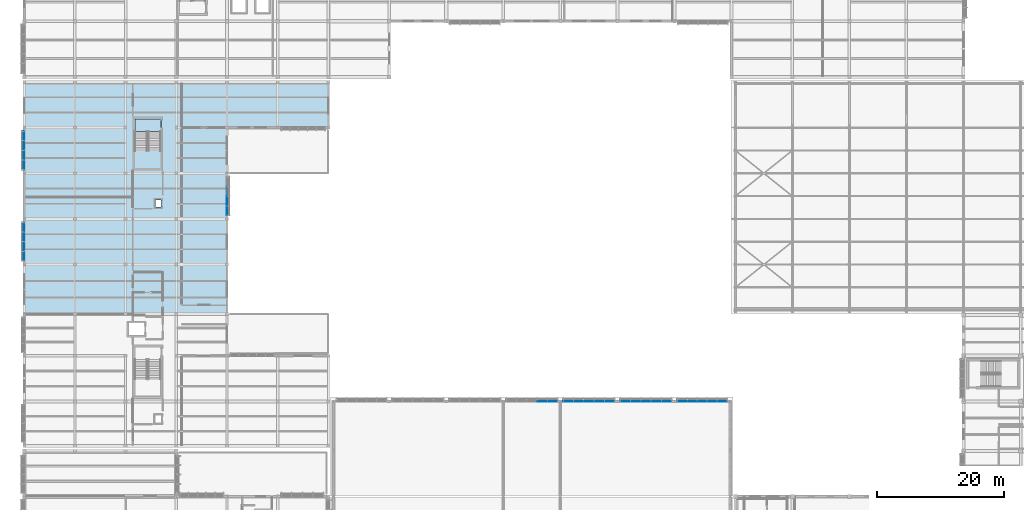
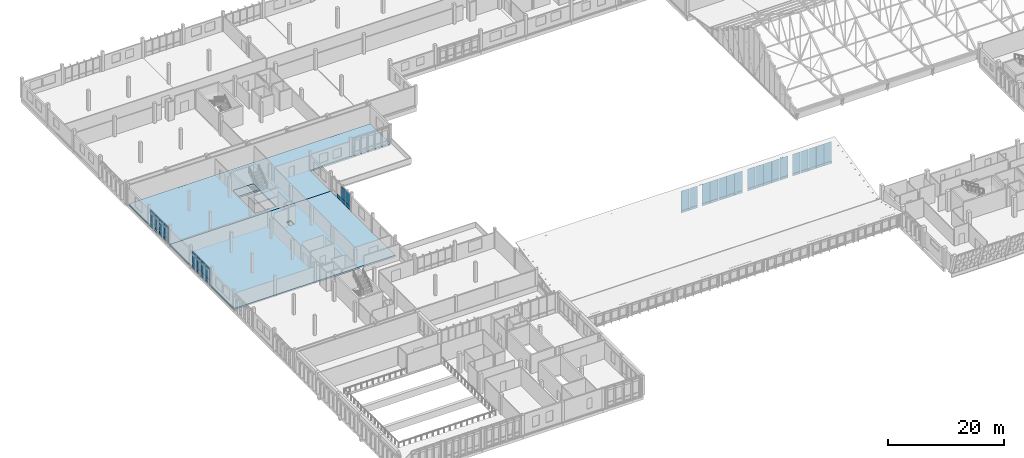
# One storey, part 149 of 182: 55 plates, 4 slabs, 8 elements without a shape of their own.
"""IFC4 building model written with IfcOpenShell, lengths in metres."""

from ifc_helpers import new_model, si_unit, direction, frame, origin, origin_2d, place, context, subcontext, project, spatial, polyline, rectangle, outline, extrude, material, layer, layer_set, type_object, element, aggregate, save


model = new_model("IFC4")

# Units and contexts
model_context = context("Model", 3, precision=1e-05, world=origin(), true_north=direction((0.0, 1.0)))
body_context = subcontext(model_context, "Body", "Model", "MODEL_VIEW")
ifc_project = project(units=[si_unit("LENGTHUNIT", "METRE"), si_unit("AREAUNIT", "SQUARE_METRE"), si_unit("VOLUMEUNIT", "CUBIC_METRE"), si_unit("PLANEANGLEUNIT", "RADIAN"), si_unit("MASSUNIT", "GRAM", prefix="KILO")], contexts=[model_context])

# Site, building, storey
site_placement = place(None, origin())
site = spatial("IfcSite", under=ifc_project, at=site_placement, CompositionType="ELEMENT")
building_placement = place(site_placement, origin())
building = spatial("IfcBuilding", under=site, at=building_placement, Name="Chiffa Square Polytechnic", CompositionType="ELEMENT")
storey_placement = place(building_placement, frame((0.0, 0.0, 9.60009765625)))
storey = spatial("IfcBuildingStorey", under=building, at=storey_placement, Name="L02", CompositionType="ELEMENT", Elevation=9.60009765625)

# Curtain wall, plates
ifc_material_1 = material(Name="Aluminium EN AW-6060 T66 and glulam shading", Category="wood")
curtain_wall_type_1 = type_object("IfcCurtainWallType", Name="CW-VERT-450X440", PredefinedType="USERDEFINED", material=ifc_material_1)
curtain_wall_1_placement = place(storey_placement, origin())
curtain_wall_1 = element("IfcCurtainWall", 1, at=curtain_wall_1_placement, inside=storey, type_object=curtain_wall_type_1, Name="Curtain wall CW-V6-L02-264", ObjectType="CURTAIN WALL", PredefinedType="USERDEFINED")
ifc_material_2 = material(Name="Double glazing", Category="glass")
ifc_layer_1 = layer(ifc_material_2, 0.035888671875, Name="Double glazing")
ifc_layer_set_1 = layer_set([ifc_layer_1], Name="Double glazing")
plate_type_1 = type_object("IfcPlateType", Name="CWP-GLZ-120X145", PredefinedType="CURTAIN_PANEL", material=ifc_layer_set_1)
plate_1_placement = place(storey_placement, frame((32.0, 73.916015625, 0.84033203125), z_axis=(0.0, 0.0, 1.0), x_axis=(0.0, 1.0, 0.0)))
plate_1 = element("IfcPlate", 2, at=plate_1_placement, type_object=plate_type_1, Name="Glazed curtain panel CW-V6-L02-264-PN01", PredefinedType="CURTAIN_PANEL", context=body_context, shape_type="SweptSolid", body=[
    extrude(rectangle(XDim=1.4560546875, YDim=0.035888671875, at=origin_2d()), origin(), (0.0, 0.0, 1.0), 2.485107421875),
])
plate_2_placement = place(storey_placement, frame((32.0, 75.43505859375, 0.84033203125), z_axis=(0.0, 0.0, 1.0), x_axis=(0.0, 1.0, 0.0)))
plate_2 = element("IfcPlate", 3, at=plate_2_placement, type_object=plate_type_1, Name="Glazed curtain panel CW-V6-L02-264-PN02", PredefinedType="CURTAIN_PANEL", context=body_context, shape_type="SweptSolid", body=[
    extrude(rectangle(XDim=1.47802734375, YDim=0.035888671875, at=origin_2d()), origin(), (0.0, 0.0, 1.0), 2.485107421875),
])

curtain_wall_type_2 = type_object("IfcCurtainWallType", Name="CW-VERT-300X380", PredefinedType="USERDEFINED", material=ifc_material_1)
curtain_wall_2_placement = place(storey_placement, origin())
curtain_wall_2 = element("IfcCurtainWall", 4, at=curtain_wall_2_placement, inside=storey, type_object=curtain_wall_type_2, Name="Curtain wall CW-V6-L02-267", ObjectType="CURTAIN WALL", PredefinedType="USERDEFINED")
ifc_layer_2 = layer(ifc_material_2, 0.0380859375, Name="Double glazing")
ifc_layer_set_2 = layer_set([ifc_layer_2], Name="Double glazing")
plate_type_2 = type_object("IfcPlateType", Name="CWP-GLZ-146X138", PredefinedType="CURTAIN_PANEL", material=ifc_layer_set_2)
plate_3_placement = place(storey_placement, frame((0.0, 71.283935546875, 0.84033203125), z_axis=(0.0, 0.0, 1.0), x_axis=(0.0, -1.0, 0.0)))
plate_3 = element("IfcPlate", 5, at=plate_3_placement, type_object=plate_type_2, Name="Glazed curtain panel CW-V6-L02-267-PN01", PredefinedType="CURTAIN_PANEL", context=body_context, shape_type="SweptSolid", body=[
    extrude(rectangle(XDim=1.4560546875, YDim=0.0380859375, at=origin_2d()), origin(), (0.0, 0.0, 1.0), 2.485107421875),
])
plate_4_placement = place(storey_placement, frame((0.0, 69.764892578125, 0.84033203125), z_axis=(0.0, 0.0, 1.0), x_axis=(0.0, -1.0, 0.0)))
plate_4 = element("IfcPlate", 6, at=plate_4_placement, type_object=plate_type_2, Name="Glazed curtain panel CW-V6-L02-267-PN02", PredefinedType="CURTAIN_PANEL", context=body_context, shape_type="SweptSolid", body=[
    extrude(rectangle(XDim=1.47802734375, YDim=0.0380859375, at=origin_2d()), origin(), (0.0, 0.0, 1.0), 2.485107421875),
])
plate_5_placement = place(storey_placement, frame((0.0, 68.235107421875, 0.84033203125), z_axis=(0.0, 0.0, 1.0), x_axis=(0.0, -1.0, 0.0)))
plate_5 = element("IfcPlate", 7, at=plate_5_placement, type_object=plate_type_2, Name="Glazed curtain panel CW-V6-L02-267-PN03", PredefinedType="CURTAIN_PANEL", context=body_context, shape_type="SweptSolid", body=[
    extrude(rectangle(XDim=1.47802734375, YDim=0.0380859375, at=origin_2d()), origin(), (0.0, 0.0, 1.0), 2.485107421875),
])
plate_6_placement = place(storey_placement, frame((0.0, 66.716064453125, 0.84033203125), z_axis=(0.0, 0.0, 1.0), x_axis=(0.0, -1.0, 0.0)))
plate_6 = element("IfcPlate", 8, at=plate_6_placement, type_object=plate_type_2, Name="Glazed curtain panel CW-V6-L02-267-PN04", PredefinedType="CURTAIN_PANEL", context=body_context, shape_type="SweptSolid", body=[
    extrude(rectangle(XDim=1.4560546875, YDim=0.0380859375, at=origin_2d()), origin(), (0.0, 0.0, 1.0), 2.485107421875),
])

curtain_wall_type_3 = type_object("IfcCurtainWallType", Name="CW-VERT-450X380", PredefinedType="USERDEFINED", material=ifc_material_1)
curtain_wall_3_placement = place(storey_placement, origin())
curtain_wall_3 = element("IfcCurtainWall", 9, at=curtain_wall_3_placement, inside=storey, type_object=curtain_wall_type_3, Name="Curtain wall CW-V6-L02-266", ObjectType="CURTAIN WALL", PredefinedType="USERDEFINED")
ifc_layer_3 = layer(ifc_material_2, 0.0380859375, Name="Double glazing")
ifc_layer_set_3 = layer_set([ifc_layer_3], Name="Double glazing")
plate_type_3 = type_object("IfcPlateType", Name="CWP-GLZ-148X142", PredefinedType="CURTAIN_PANEL", material=ifc_layer_set_3)
plate_7_placement = place(storey_placement, frame((0.0, 85.68408203125, 0.84033203125), z_axis=(0.0, 0.0, 1.0), x_axis=(0.0, -1.0, 0.0)))
plate_7 = element("IfcPlate", 10, at=plate_7_placement, type_object=plate_type_3, Name="Glazed curtain panel CW-V6-L02-266-PN01", PredefinedType="CURTAIN_PANEL", context=body_context, shape_type="SweptSolid", body=[
    extrude(rectangle(XDim=1.4560546875, YDim=0.0380859375, at=origin_2d()), origin(), (0.0, 0.0, 1.0), 2.485107421875),
])
plate_8_placement = place(storey_placement, frame((0.0, 84.1650390625, 0.84033203125), z_axis=(0.0, 0.0, 1.0), x_axis=(0.0, -1.0, 0.0)))
plate_8 = element("IfcPlate", 11, at=plate_8_placement, type_object=plate_type_3, Name="Glazed curtain panel CW-V6-L02-266-PN02", PredefinedType="CURTAIN_PANEL", context=body_context, shape_type="SweptSolid", body=[
    extrude(rectangle(XDim=1.47802734375, YDim=0.0380859375, at=origin_2d()), origin(), (0.0, 0.0, 1.0), 2.485107421875),
])
plate_9_placement = place(storey_placement, frame((0.0, 82.635009765625, 0.84033203125), z_axis=(0.0, 0.0, 1.0), x_axis=(0.0, -1.0, 0.0)))
plate_9 = element("IfcPlate", 12, at=plate_9_placement, type_object=plate_type_3, Name="Glazed curtain panel CW-V6-L02-266-PN03", PredefinedType="CURTAIN_PANEL", context=body_context, shape_type="SweptSolid", body=[
    extrude(rectangle(XDim=1.47802734375, YDim=0.0380859375, at=origin_2d()), origin(), (0.0, 0.0, 1.0), 2.485107421875),
])
plate_10_placement = place(storey_placement, frame((0.0, 81.115966796875, 0.84033203125), z_axis=(0.0, 0.0, 1.0), x_axis=(0.0, -1.0, 0.0)))
plate_10 = element("IfcPlate", 13, at=plate_10_placement, type_object=plate_type_3, Name="Glazed curtain panel CW-V6-L02-266-PN04", PredefinedType="CURTAIN_PANEL", context=body_context, shape_type="SweptSolid", body=[
    extrude(rectangle(XDim=1.4560546875, YDim=0.0380859375, at=origin_2d()), origin(), (0.0, 0.0, 1.0), 2.485107421875),
])

curtain_wall_type_4 = type_object("IfcCurtainWallType", Name="CW-VERT-360X380", PredefinedType="USERDEFINED", material=ifc_material_1)
curtain_wall_4_placement = place(storey_placement, origin())
curtain_wall_4 = element("IfcCurtainWall", 14, at=curtain_wall_4_placement, inside=storey, type_object=curtain_wall_type_4, Name="Curtain wall CW-V4-CLRN-04", ObjectType="CURTAIN WALL", PredefinedType="USERDEFINED")
ifc_layer_4 = layer(ifc_material_2, 0.035888671875, Name="Double glazing")
ifc_layer_set_4 = layer_set([ifc_layer_4], Name="Double glazing")
plate_type_4 = type_object("IfcPlateType", Name="CWP-GLZ-150X145", PredefinedType="CURTAIN_PANEL", material=ifc_layer_set_4)
plate_11_placement = place(storey_placement, frame((83.3369140625, 43.800048828125, 0.6103515625), z_axis=(0.0, 0.0, 1.0), x_axis=(-1.0, 0.0, 0.0)))
plate_11 = element("IfcPlate", 15, at=plate_11_placement, type_object=plate_type_4, Name="Glazed curtain panel CW-V4-CLRN-04-PN01", PredefinedType="CURTAIN_PANEL", context=body_context, shape_type="SweptSolid", body=[
    extrude(rectangle(XDim=1.550048828125, YDim=0.035888671875, at=origin_2d()), origin(), (0.0, 0.0, 1.0), 4.0830078125),
])
plate_12_placement = place(storey_placement, frame((81.72412109375, 43.800048828125, 0.6103515625), z_axis=(0.0, 0.0, 1.0), x_axis=(-1.0, 0.0, 0.0)))
plate_12 = element("IfcPlate", 16, at=plate_12_placement, type_object=plate_type_4, Name="Glazed curtain panel CW-V4-CLRN-04-PN02", PredefinedType="CURTAIN_PANEL", context=body_context, shape_type="SweptSolid", body=[
    extrude(rectangle(XDim=1.572021484375, YDim=0.035888671875, at=origin_2d()), origin(), (0.0, 0.0, 1.0), 4.0830078125),
])

curtain_wall_type_5 = type_object("IfcCurtainWallType", Name="CW-VERT-480X380", PredefinedType="USERDEFINED", material=ifc_material_1)
curtain_wall_5_placement = place(storey_placement, origin())
curtain_wall_5 = element("IfcCurtainWall", 17, at=curtain_wall_5_placement, inside=storey, type_object=curtain_wall_type_5, Name="Curtain wall CW-V4-CLRN-05", ObjectType="CURTAIN WALL", PredefinedType="USERDEFINED")
plate_13_placement = place(storey_placement, frame((92.3369140625, 43.800048828125, 0.6103515625), z_axis=(0.0, 0.0, 1.0), x_axis=(-1.0, 0.0, 0.0)))
plate_13 = element("IfcPlate", 18, at=plate_13_placement, type_object=plate_type_4, Name="Glazed curtain panel CW-V4-CLRN-05-PN01", PredefinedType="CURTAIN_PANEL", context=body_context, shape_type="SweptSolid", body=[
    extrude(rectangle(XDim=1.550048828125, YDim=0.035888671875, at=origin_2d()), origin(), (0.0, 0.0, 1.0), 4.0830078125),
])
plate_14_placement = place(storey_placement, frame((90.72412109375, 43.800048828125, 0.6103515625), z_axis=(0.0, 0.0, 1.0), x_axis=(-1.0, 0.0, 0.0)))
plate_14 = element("IfcPlate", 19, at=plate_14_placement, type_object=plate_type_4, Name="Glazed curtain panel CW-V4-CLRN-05-PN02", PredefinedType="CURTAIN_PANEL", context=body_context, shape_type="SweptSolid", body=[
    extrude(rectangle(XDim=1.572021484375, YDim=0.035888671875, at=origin_2d()), origin(), (0.0, 0.0, 1.0), 4.0830078125),
])
plate_15_placement = place(storey_placement, frame((89.10009765625, 43.800048828125, 0.6103515625), z_axis=(0.0, 0.0, 1.0), x_axis=(-1.0, 0.0, 0.0)))
plate_15 = element("IfcPlate", 20, at=plate_15_placement, type_object=plate_type_4, Name="Glazed curtain panel CW-V4-CLRN-05-PN03", PredefinedType="CURTAIN_PANEL", context=body_context, shape_type="SweptSolid", body=[
    extrude(rectangle(XDim=1.572021484375, YDim=0.035888671875, at=origin_2d()), origin(), (0.0, 0.0, 1.0), 4.0830078125),
])
plate_16_placement = place(storey_placement, frame((87.47607421875, 43.800048828125, 0.6103515625), z_axis=(0.0, 0.0, 1.0), x_axis=(-1.0, 0.0, 0.0)))
plate_16 = element("IfcPlate", 21, at=plate_16_placement, type_object=plate_type_4, Name="Glazed curtain panel CW-V4-CLRN-05-PN04", PredefinedType="CURTAIN_PANEL", context=body_context, shape_type="SweptSolid", body=[
    extrude(rectangle(XDim=1.572021484375, YDim=0.035888671875, at=origin_2d()), origin(), (0.0, 0.0, 1.0), 4.0830078125),
])
plate_17_placement = place(storey_placement, frame((85.863037109375, 43.800048828125, 0.6103515625), z_axis=(0.0, 0.0, 1.0), x_axis=(-1.0, 0.0, 0.0)))
plate_17 = element("IfcPlate", 22, at=plate_17_placement, type_object=plate_type_4, Name="Glazed curtain panel CW-V4-CLRN-05-PN05", PredefinedType="CURTAIN_PANEL", context=body_context, shape_type="SweptSolid", body=[
    extrude(rectangle(XDim=1.550048828125, YDim=0.035888671875, at=origin_2d()), origin(), (0.0, 0.0, 1.0), 4.0830078125),
])

curtain_wall_type_6 = type_object("IfcCurtainWallType", Name="CW-VERT-540X440", PredefinedType="USERDEFINED", material=ifc_material_1)
curtain_wall_6_placement = place(storey_placement, origin())
curtain_wall_6 = element("IfcCurtainWall", 23, at=curtain_wall_6_placement, inside=storey, type_object=curtain_wall_type_6, Name="Curtain wall CW-V4-CLRN-06", ObjectType="CURTAIN WALL", PredefinedType="USERDEFINED")
plate_18_placement = place(storey_placement, frame((101.3369140625, 43.800048828125, 0.6103515625), z_axis=(0.0, 0.0, 1.0), x_axis=(-1.0, 0.0, 0.0)))
plate_18 = element("IfcPlate", 24, at=plate_18_placement, type_object=plate_type_4, Name="Glazed curtain panel CW-V4-CLRN-06-PN01", PredefinedType="CURTAIN_PANEL", context=body_context, shape_type="SweptSolid", body=[
    extrude(rectangle(XDim=1.550048828125, YDim=0.035888671875, at=origin_2d()), origin(), (0.0, 0.0, 1.0), 4.0830078125),
])
plate_19_placement = place(storey_placement, frame((99.72412109375, 43.800048828125, 0.6103515625), z_axis=(0.0, 0.0, 1.0), x_axis=(-1.0, 0.0, 0.0)))
plate_19 = element("IfcPlate", 25, at=plate_19_placement, type_object=plate_type_4, Name="Glazed curtain panel CW-V4-CLRN-06-PN02", PredefinedType="CURTAIN_PANEL", context=body_context, shape_type="SweptSolid", body=[
    extrude(rectangle(XDim=1.572021484375, YDim=0.035888671875, at=origin_2d()), origin(), (0.0, 0.0, 1.0), 4.0830078125),
])
plate_20_placement = place(storey_placement, frame((98.10009765625, 43.800048828125, 0.6103515625), z_axis=(0.0, 0.0, 1.0), x_axis=(-1.0, 0.0, 0.0)))
plate_20 = element("IfcPlate", 26, at=plate_20_placement, type_object=plate_type_4, Name="Glazed curtain panel CW-V4-CLRN-06-PN03", PredefinedType="CURTAIN_PANEL", context=body_context, shape_type="SweptSolid", body=[
    extrude(rectangle(XDim=1.572021484375, YDim=0.035888671875, at=origin_2d()), origin(), (0.0, 0.0, 1.0), 4.0830078125),
])
plate_21_placement = place(storey_placement, frame((96.47607421875, 43.800048828125, 0.6103515625), z_axis=(0.0, 0.0, 1.0), x_axis=(-1.0, 0.0, 0.0)))
plate_21 = element("IfcPlate", 27, at=plate_21_placement, type_object=plate_type_4, Name="Glazed curtain panel CW-V4-CLRN-06-PN04", PredefinedType="CURTAIN_PANEL", context=body_context, shape_type="SweptSolid", body=[
    extrude(rectangle(XDim=1.572021484375, YDim=0.035888671875, at=origin_2d()), origin(), (0.0, 0.0, 1.0), 4.0830078125),
])
plate_22_placement = place(storey_placement, frame((94.863037109375, 43.800048828125, 0.6103515625), z_axis=(0.0, 0.0, 1.0), x_axis=(-1.0, 0.0, 0.0)))
plate_22 = element("IfcPlate", 28, at=plate_22_placement, type_object=plate_type_4, Name="Glazed curtain panel CW-V4-CLRN-06-PN05", PredefinedType="CURTAIN_PANEL", context=body_context, shape_type="SweptSolid", body=[
    extrude(rectangle(XDim=1.550048828125, YDim=0.035888671875, at=origin_2d()), origin(), (0.0, 0.0, 1.0), 4.0830078125),
])

curtain_wall_7_placement = place(storey_placement, origin())
curtain_wall_7 = element("IfcCurtainWall", 29, at=curtain_wall_7_placement, inside=storey, type_object=curtain_wall_type_1, Name="Curtain wall CW-V4-CLRN-07", ObjectType="CURTAIN WALL", PredefinedType="USERDEFINED")
plate_23_placement = place(storey_placement, frame((110.112060546875, 43.800048828125, 0.6103515625), z_axis=(0.0, 0.0, 1.0), x_axis=(-1.0, 0.0, 0.0)))
plate_23 = element("IfcPlate", 30, at=plate_23_placement, type_object=plate_type_4, Name="Glazed curtain panel CW-V4-CLRN-07-PN01", PredefinedType="CURTAIN_PANEL", context=body_context, shape_type="SweptSolid", body=[
    extrude(rectangle(XDim=1.5, YDim=0.035888671875, at=origin_2d()), origin(), (0.0, 0.0, 1.0), 4.0830078125),
])
plate_24_placement = place(storey_placement, frame((108.549072265625, 43.800048828125, 0.6103515625), z_axis=(0.0, 0.0, 1.0), x_axis=(-1.0, 0.0, 0.0)))
plate_24 = element("IfcPlate", 31, at=plate_24_placement, type_object=plate_type_4, Name="Glazed curtain panel CW-V4-CLRN-07-PN02", PredefinedType="CURTAIN_PANEL", context=body_context, shape_type="SweptSolid", body=[
    extrude(rectangle(XDim=1.52197265625, YDim=0.035888671875, at=origin_2d()), origin(), (0.0, 0.0, 1.0), 4.0830078125),
])
plate_25_placement = place(storey_placement, frame((106.97509765625, 43.800048828125, 0.6103515625), z_axis=(0.0, 0.0, 1.0), x_axis=(-1.0, 0.0, 0.0)))
plate_25 = element("IfcPlate", 32, at=plate_25_placement, type_object=plate_type_4, Name="Glazed curtain panel CW-V4-CLRN-07-PN03", PredefinedType="CURTAIN_PANEL", context=body_context, shape_type="SweptSolid", body=[
    extrude(rectangle(XDim=1.52197265625, YDim=0.035888671875, at=origin_2d()), origin(), (0.0, 0.0, 1.0), 4.0830078125),
])
plate_26_placement = place(storey_placement, frame((105.40087890625, 43.800048828125, 0.6103515625), z_axis=(0.0, 0.0, 1.0), x_axis=(-1.0, 0.0, 0.0)))
plate_26 = element("IfcPlate", 33, at=plate_26_placement, type_object=plate_type_4, Name="Glazed curtain panel CW-V4-CLRN-07-PN04", PredefinedType="CURTAIN_PANEL", context=body_context, shape_type="SweptSolid", body=[
    extrude(rectangle(XDim=1.52197265625, YDim=0.035888671875, at=origin_2d()), origin(), (0.0, 0.0, 1.0), 4.0830078125),
])
plate_27_placement = place(storey_placement, frame((103.837890625, 43.800048828125, 0.6103515625), z_axis=(0.0, 0.0, 1.0), x_axis=(-1.0, 0.0, 0.0)))
plate_27 = element("IfcPlate", 34, at=plate_27_placement, type_object=plate_type_4, Name="Glazed curtain panel CW-V4-CLRN-07-PN05", PredefinedType="CURTAIN_PANEL", context=body_context, shape_type="SweptSolid", body=[
    extrude(rectangle(XDim=1.5, YDim=0.035888671875, at=origin_2d()), origin(), (0.0, 0.0, 1.0), 4.0830078125),
])

# Plate
ifc_material_3 = material(Name="Aluminium insulated spandrel", Category="aluminium")
ifc_layer_5 = layer(ifc_material_3, 0.068115234375, Name="Aluminium insulated spandrel")
ifc_layer_set_5 = layer_set([ifc_layer_5], Name="Aluminium insulated spandrel")
plate_type_5 = type_object("IfcPlateType", Name="CWP-SPN-140X076", PredefinedType="SHEET", material=ifc_layer_set_5)
plate_28_placement = place(storey_placement, frame((0.0, 71.283935546875, 0.0498046875), z_axis=(0.0, 0.0, 1.0), x_axis=(0.0, -1.0, 0.0)))
plate_28 = element("IfcPlate", 35, at=plate_28_placement, type_object=plate_type_5, Name="Spandrel panel CW-V6-L02-267-SP01", PredefinedType="SHEET", context=body_context, shape_type="SweptSolid", body=[
    extrude(rectangle(XDim=1.4560546875, YDim=0.068115234375, at=origin_2d()), origin(), (0.0, 0.0, 1.0), 0.75),
])

plate_29_placement = place(storey_placement, frame((0.0, 69.764892578125, 0.0498046875), z_axis=(0.0, 0.0, 1.0), x_axis=(0.0, -1.0, 0.0)))
plate_29 = element("IfcPlate", 36, at=plate_29_placement, type_object=plate_type_5, Name="Spandrel panel CW-V6-L02-267-SP02", PredefinedType="SHEET", context=body_context, shape_type="SweptSolid", body=[
    extrude(rectangle(XDim=1.47802734375, YDim=0.068115234375, at=origin_2d()), origin(), (0.0, 0.0, 1.0), 0.75),
])

plate_30_placement = place(storey_placement, frame((0.0, 68.235107421875, 0.0498046875), z_axis=(0.0, 0.0, 1.0), x_axis=(0.0, -1.0, 0.0)))
plate_30 = element("IfcPlate", 37, at=plate_30_placement, type_object=plate_type_5, Name="Spandrel panel CW-V6-L02-267-SP03", PredefinedType="SHEET", context=body_context, shape_type="SweptSolid", body=[
    extrude(rectangle(XDim=1.47802734375, YDim=0.068115234375, at=origin_2d()), origin(), (0.0, 0.0, 1.0), 0.75),
])

plate_31_placement = place(storey_placement, frame((0.0, 66.716064453125, 0.0498046875), z_axis=(0.0, 0.0, 1.0), x_axis=(0.0, -1.0, 0.0)))
plate_31 = element("IfcPlate", 38, at=plate_31_placement, type_object=plate_type_5, Name="Spandrel panel CW-V6-L02-267-SP04", PredefinedType="SHEET", context=body_context, shape_type="SweptSolid", body=[
    extrude(rectangle(XDim=1.4560546875, YDim=0.068115234375, at=origin_2d()), origin(), (0.0, 0.0, 1.0), 0.75),
])

aggregate(curtain_wall_2, [plate_28, plate_3, plate_29, plate_4, plate_30, plate_5, plate_31, plate_6])

ifc_layer_6 = layer(ifc_material_3, 0.06591796875, Name="Aluminium insulated spandrel")
ifc_layer_set_6 = layer_set([ifc_layer_6], Name="Aluminium insulated spandrel")
plate_type_6 = type_object("IfcPlateType", Name="CWP-SPN-144X078", PredefinedType="SHEET", material=ifc_layer_set_6)
plate_32_placement = place(storey_placement, frame((0.0, 85.68408203125, 0.0498046875), z_axis=(0.0, 0.0, 1.0), x_axis=(0.0, -1.0, 0.0)))
plate_32 = element("IfcPlate", 39, at=plate_32_placement, type_object=plate_type_6, Name="Spandrel panel CW-V6-L02-266-SP01", PredefinedType="SHEET", context=body_context, shape_type="SweptSolid", body=[
    extrude(rectangle(XDim=1.4560546875, YDim=0.06591796875, at=origin_2d()), origin(), (0.0, 0.0, 1.0), 0.75),
])

plate_33_placement = place(storey_placement, frame((0.0, 84.1650390625, 0.0498046875), z_axis=(0.0, 0.0, 1.0), x_axis=(0.0, -1.0, 0.0)))
plate_33 = element("IfcPlate", 40, at=plate_33_placement, type_object=plate_type_6, Name="Spandrel panel CW-V6-L02-266-SP02", PredefinedType="SHEET", context=body_context, shape_type="SweptSolid", body=[
    extrude(rectangle(XDim=1.47802734375, YDim=0.06591796875, at=origin_2d()), origin(), (0.0, 0.0, 1.0), 0.75),
])

plate_34_placement = place(storey_placement, frame((0.0, 82.635009765625, 0.0498046875), z_axis=(0.0, 0.0, 1.0), x_axis=(0.0, -1.0, 0.0)))
plate_34 = element("IfcPlate", 41, at=plate_34_placement, type_object=plate_type_6, Name="Spandrel panel CW-V6-L02-266-SP03", PredefinedType="SHEET", context=body_context, shape_type="SweptSolid", body=[
    extrude(rectangle(XDim=1.47802734375, YDim=0.06591796875, at=origin_2d()), origin(), (0.0, 0.0, 1.0), 0.75),
])

plate_35_placement = place(storey_placement, frame((0.0, 81.115966796875, 0.0498046875), z_axis=(0.0, 0.0, 1.0), x_axis=(0.0, -1.0, 0.0)))
plate_35 = element("IfcPlate", 42, at=plate_35_placement, type_object=plate_type_6, Name="Spandrel panel CW-V6-L02-266-SP04", PredefinedType="SHEET", context=body_context, shape_type="SweptSolid", body=[
    extrude(rectangle(XDim=1.4560546875, YDim=0.06591796875, at=origin_2d()), origin(), (0.0, 0.0, 1.0), 0.75),
])

aggregate(curtain_wall_3, [plate_32, plate_7, plate_33, plate_8, plate_34, plate_9, plate_35, plate_10])

ifc_layer_7 = layer(ifc_material_3, 0.06201171875, Name="Aluminium insulated spandrel")
ifc_layer_set_7 = layer_set([ifc_layer_7], Name="Aluminium insulated spandrel")
plate_type_7 = type_object("IfcPlateType", Name="CWP-SPN-148X084", PredefinedType="SHEET", material=ifc_layer_set_7)
plate_36_placement = place(storey_placement, frame((32.0, 73.916015625, 0.0498046875), z_axis=(0.0, 0.0, 1.0), x_axis=(0.0, 1.0, 0.0)))
plate_36 = element("IfcPlate", 43, at=plate_36_placement, type_object=plate_type_7, Name="Spandrel panel CW-V6-L02-264-SP01", PredefinedType="SHEET", context=body_context, shape_type="SweptSolid", body=[
    extrude(rectangle(XDim=1.4560546875, YDim=0.06201171875, at=origin_2d()), origin(), (0.0, 0.0, 1.0), 0.75),
])

plate_37_placement = place(storey_placement, frame((32.0, 75.43505859375, 0.0498046875), z_axis=(0.0, 0.0, 1.0), x_axis=(0.0, 1.0, 0.0)))
plate_37 = element("IfcPlate", 44, at=plate_37_placement, type_object=plate_type_7, Name="Spandrel panel CW-V6-L02-264-SP02", PredefinedType="SHEET", context=body_context, shape_type="SweptSolid", body=[
    extrude(rectangle(XDim=1.47802734375, YDim=0.06201171875, at=origin_2d()), origin(), (0.0, 0.0, 1.0), 0.75),
])

plate_38_placement = place(storey_placement, frame((32.0, 76.965087890625, 0.0498046875), z_axis=(0.0, 0.0, 1.0), x_axis=(0.0, 1.0, 0.0)))
plate_38 = element("IfcPlate", 45, at=plate_38_placement, type_object=plate_type_7, Name="Spandrel panel CW-V6-L02-264-SP03", PredefinedType="SHEET", context=body_context, shape_type="SweptSolid", body=[
    extrude(rectangle(XDim=1.47802734375, YDim=0.06201171875, at=origin_2d()), origin(), (0.0, 0.0, 1.0), 0.75),
])

aggregate(curtain_wall_1, [plate_36, plate_1, plate_37, plate_2, plate_38])

ifc_layer_8 = layer(ifc_material_3, 0.06005859375, Name="Aluminium insulated spandrel")
ifc_layer_set_8 = layer_set([ifc_layer_8], Name="Aluminium insulated spandrel")
plate_type_8 = type_object("IfcPlateType", Name="CWP-SPN-150X095", PredefinedType="SHEET", material=ifc_layer_set_8)
plate_39_placement = place(storey_placement, frame((83.3369140625, 43.800048828125, 0.08984375), z_axis=(0.0, 0.0, 1.0), x_axis=(-1.0, 0.0, 0.0)))
plate_39 = element("IfcPlate", 46, at=plate_39_placement, type_object=plate_type_8, Name="Spandrel panel CW-V4-CLRN-04-SP01", PredefinedType="SHEET", context=body_context, shape_type="SweptSolid", body=[
    extrude(rectangle(XDim=1.550048828125, YDim=0.06005859375, at=origin_2d()), origin(), (0.0, 0.0, 1.0), 0.47998046875),
])

plate_40_placement = place(storey_placement, frame((81.72412109375, 43.800048828125, 0.08984375), z_axis=(0.0, 0.0, 1.0), x_axis=(-1.0, 0.0, 0.0)))
plate_40 = element("IfcPlate", 47, at=plate_40_placement, type_object=plate_type_8, Name="Spandrel panel CW-V4-CLRN-04-SP02", PredefinedType="SHEET", context=body_context, shape_type="SweptSolid", body=[
    extrude(rectangle(XDim=1.572021484375, YDim=0.06005859375, at=origin_2d()), origin(), (0.0, 0.0, 1.0), 0.47998046875),
])

aggregate(curtain_wall_4, [plate_39, plate_11, plate_40, plate_12])

plate_41_placement = place(storey_placement, frame((92.3369140625, 43.800048828125, 0.08984375), z_axis=(0.0, 0.0, 1.0), x_axis=(-1.0, 0.0, 0.0)))
plate_41 = element("IfcPlate", 48, at=plate_41_placement, type_object=plate_type_8, Name="Spandrel panel CW-V4-CLRN-05-SP01", PredefinedType="SHEET", context=body_context, shape_type="SweptSolid", body=[
    extrude(rectangle(XDim=1.550048828125, YDim=0.06005859375, at=origin_2d()), origin(), (0.0, 0.0, 1.0), 0.47998046875),
])

plate_42_placement = place(storey_placement, frame((90.72412109375, 43.800048828125, 0.08984375), z_axis=(0.0, 0.0, 1.0), x_axis=(-1.0, 0.0, 0.0)))
plate_42 = element("IfcPlate", 49, at=plate_42_placement, type_object=plate_type_8, Name="Spandrel panel CW-V4-CLRN-05-SP02", PredefinedType="SHEET", context=body_context, shape_type="SweptSolid", body=[
    extrude(rectangle(XDim=1.572021484375, YDim=0.06005859375, at=origin_2d()), origin(), (0.0, 0.0, 1.0), 0.47998046875),
])

plate_43_placement = place(storey_placement, frame((89.10009765625, 43.800048828125, 0.08984375), z_axis=(0.0, 0.0, 1.0), x_axis=(-1.0, 0.0, 0.0)))
plate_43 = element("IfcPlate", 50, at=plate_43_placement, type_object=plate_type_8, Name="Spandrel panel CW-V4-CLRN-05-SP03", PredefinedType="SHEET", context=body_context, shape_type="SweptSolid", body=[
    extrude(rectangle(XDim=1.572021484375, YDim=0.06005859375, at=origin_2d()), origin(), (0.0, 0.0, 1.0), 0.47998046875),
])

plate_44_placement = place(storey_placement, frame((87.47607421875, 43.800048828125, 0.08984375), z_axis=(0.0, 0.0, 1.0), x_axis=(-1.0, 0.0, 0.0)))
plate_44 = element("IfcPlate", 51, at=plate_44_placement, type_object=plate_type_8, Name="Spandrel panel CW-V4-CLRN-05-SP04", PredefinedType="SHEET", context=body_context, shape_type="SweptSolid", body=[
    extrude(rectangle(XDim=1.572021484375, YDim=0.06005859375, at=origin_2d()), origin(), (0.0, 0.0, 1.0), 0.47998046875),
])

plate_45_placement = place(storey_placement, frame((85.863037109375, 43.800048828125, 0.08984375), z_axis=(0.0, 0.0, 1.0), x_axis=(-1.0, 0.0, 0.0)))
plate_45 = element("IfcPlate", 52, at=plate_45_placement, type_object=plate_type_8, Name="Spandrel panel CW-V4-CLRN-05-SP05", PredefinedType="SHEET", context=body_context, shape_type="SweptSolid", body=[
    extrude(rectangle(XDim=1.550048828125, YDim=0.06005859375, at=origin_2d()), origin(), (0.0, 0.0, 1.0), 0.47998046875),
])

aggregate(curtain_wall_5, [plate_41, plate_13, plate_42, plate_14, plate_43, plate_15, plate_44, plate_16, plate_45, plate_17])

plate_46_placement = place(storey_placement, frame((101.3369140625, 43.800048828125, 0.08984375), z_axis=(0.0, 0.0, 1.0), x_axis=(-1.0, 0.0, 0.0)))
plate_46 = element("IfcPlate", 53, at=plate_46_placement, type_object=plate_type_8, Name="Spandrel panel CW-V4-CLRN-06-SP01", PredefinedType="SHEET", context=body_context, shape_type="SweptSolid", body=[
    extrude(rectangle(XDim=1.550048828125, YDim=0.06005859375, at=origin_2d()), origin(), (0.0, 0.0, 1.0), 0.47998046875),
])

plate_47_placement = place(storey_placement, frame((99.72412109375, 43.800048828125, 0.08984375), z_axis=(0.0, 0.0, 1.0), x_axis=(-1.0, 0.0, 0.0)))
plate_47 = element("IfcPlate", 54, at=plate_47_placement, type_object=plate_type_8, Name="Spandrel panel CW-V4-CLRN-06-SP02", PredefinedType="SHEET", context=body_context, shape_type="SweptSolid", body=[
    extrude(rectangle(XDim=1.572021484375, YDim=0.06005859375, at=origin_2d()), origin(), (0.0, 0.0, 1.0), 0.47998046875),
])

plate_48_placement = place(storey_placement, frame((98.10009765625, 43.800048828125, 0.08984375), z_axis=(0.0, 0.0, 1.0), x_axis=(-1.0, 0.0, 0.0)))
plate_48 = element("IfcPlate", 55, at=plate_48_placement, type_object=plate_type_8, Name="Spandrel panel CW-V4-CLRN-06-SP03", PredefinedType="SHEET", context=body_context, shape_type="SweptSolid", body=[
    extrude(rectangle(XDim=1.572021484375, YDim=0.06005859375, at=origin_2d()), origin(), (0.0, 0.0, 1.0), 0.47998046875),
])

plate_49_placement = place(storey_placement, frame((96.47607421875, 43.800048828125, 0.08984375), z_axis=(0.0, 0.0, 1.0), x_axis=(-1.0, 0.0, 0.0)))
plate_49 = element("IfcPlate", 56, at=plate_49_placement, type_object=plate_type_8, Name="Spandrel panel CW-V4-CLRN-06-SP04", PredefinedType="SHEET", context=body_context, shape_type="SweptSolid", body=[
    extrude(rectangle(XDim=1.572021484375, YDim=0.06005859375, at=origin_2d()), origin(), (0.0, 0.0, 1.0), 0.47998046875),
])

plate_50_placement = place(storey_placement, frame((94.863037109375, 43.800048828125, 0.08984375), z_axis=(0.0, 0.0, 1.0), x_axis=(-1.0, 0.0, 0.0)))
plate_50 = element("IfcPlate", 57, at=plate_50_placement, type_object=plate_type_8, Name="Spandrel panel CW-V4-CLRN-06-SP05", PredefinedType="SHEET", context=body_context, shape_type="SweptSolid", body=[
    extrude(rectangle(XDim=1.550048828125, YDim=0.06005859375, at=origin_2d()), origin(), (0.0, 0.0, 1.0), 0.47998046875),
])

aggregate(curtain_wall_6, [plate_46, plate_18, plate_47, plate_19, plate_48, plate_20, plate_49, plate_21, plate_50, plate_22])

plate_51_placement = place(storey_placement, frame((110.112060546875, 43.800048828125, 0.08984375), z_axis=(0.0, 0.0, 1.0), x_axis=(-1.0, 0.0, 0.0)))
plate_51 = element("IfcPlate", 58, at=plate_51_placement, type_object=plate_type_8, Name="Spandrel panel CW-V4-CLRN-07-SP01", PredefinedType="SHEET", context=body_context, shape_type="SweptSolid", body=[
    extrude(rectangle(XDim=1.5, YDim=0.06005859375, at=origin_2d()), origin(), (0.0, 0.0, 1.0), 0.47998046875),
])

plate_52_placement = place(storey_placement, frame((108.549072265625, 43.800048828125, 0.08984375), z_axis=(0.0, 0.0, 1.0), x_axis=(-1.0, 0.0, 0.0)))
plate_52 = element("IfcPlate", 59, at=plate_52_placement, type_object=plate_type_8, Name="Spandrel panel CW-V4-CLRN-07-SP02", PredefinedType="SHEET", context=body_context, shape_type="SweptSolid", body=[
    extrude(rectangle(XDim=1.52197265625, YDim=0.06005859375, at=origin_2d()), origin(), (0.0, 0.0, 1.0), 0.47998046875),
])

plate_53_placement = place(storey_placement, frame((106.97509765625, 43.800048828125, 0.08984375), z_axis=(0.0, 0.0, 1.0), x_axis=(-1.0, 0.0, 0.0)))
plate_53 = element("IfcPlate", 60, at=plate_53_placement, type_object=plate_type_8, Name="Spandrel panel CW-V4-CLRN-07-SP03", PredefinedType="SHEET", context=body_context, shape_type="SweptSolid", body=[
    extrude(rectangle(XDim=1.52197265625, YDim=0.06005859375, at=origin_2d()), origin(), (0.0, 0.0, 1.0), 0.47998046875),
])

plate_54_placement = place(storey_placement, frame((105.40087890625, 43.800048828125, 0.08984375), z_axis=(0.0, 0.0, 1.0), x_axis=(-1.0, 0.0, 0.0)))
plate_54 = element("IfcPlate", 61, at=plate_54_placement, type_object=plate_type_8, Name="Spandrel panel CW-V4-CLRN-07-SP04", PredefinedType="SHEET", context=body_context, shape_type="SweptSolid", body=[
    extrude(rectangle(XDim=1.52197265625, YDim=0.06005859375, at=origin_2d()), origin(), (0.0, 0.0, 1.0), 0.47998046875),
])

plate_55_placement = place(storey_placement, frame((103.837890625, 43.800048828125, 0.08984375), z_axis=(0.0, 0.0, 1.0), x_axis=(-1.0, 0.0, 0.0)))
plate_55 = element("IfcPlate", 62, at=plate_55_placement, type_object=plate_type_8, Name="Spandrel panel CW-V4-CLRN-07-SP05", PredefinedType="SHEET", context=body_context, shape_type="SweptSolid", body=[
    extrude(rectangle(XDim=1.5, YDim=0.06005859375, at=origin_2d()), origin(), (0.0, 0.0, 1.0), 0.47998046875),
])

aggregate(curtain_wall_7, [plate_51, plate_23, plate_52, plate_24, plate_53, plate_25, plate_54, plate_26, plate_55, plate_27])

# Slabs
ifc_material_4 = material(Name="Concrete C40/50", Category="concrete")
ifc_layer_9 = layer(ifc_material_4, 0.320068359375, Name="Concrete C40/50")
ifc_layer_set_9 = layer_set([ifc_layer_9], Name="Concrete C40/50")
slab_type_1 = type_object("IfcSlabType", Name="SLB-FLR-320", PredefinedType="FLOOR", material=ifc_layer_set_9)
slab_1_placement = place(storey_placement, frame((0.0, 0.0, -0.320068359375)))
element("IfcSlab", 63, at=slab_1_placement, inside=storey, type_object=slab_type_1, Name="V6 L02 structural slab SLB-V6-L02-054", PredefinedType="FLOOR", context=body_context, shape_type="SweptSolid", body=[
    extrude(outline(polyline([(32.0, 57.60009765625), (0.0, 57.60009765625), (0.0, 79.800048828125), (32.0, 79.800048828125), (32.0, 57.60009765625)]), holes=[polyline([(20.679931640625, 75.60009765625), (21.6201171875, 75.60009765625), (21.6201171875, 74.449951171875), (20.679931640625, 74.449951171875), (20.679931640625, 75.60009765625)])]), origin(), (0.0, 0.0, 1.0), 0.320068359375),
])
slab_2_placement = place(storey_placement, frame((0.0, 0.0, -0.320068359375)))
element("IfcSlab", 64, at=slab_2_placement, inside=storey, type_object=slab_type_1, Name="V6 L02 structural slab SLB-V6-L02-055", PredefinedType="FLOOR", context=body_context, shape_type="SweptSolid", body=[
    extrude(outline(polyline([(0.0, 93.949951171875), (48.0, 93.949951171875), (48.0, 87.0), (32.0, 87.0), (32.0, 79.800048828125), (0.0, 79.800048828125), (0.0, 93.949951171875)]), holes=[polyline([(21.550048828125, 88.39990234375), (21.550048828125, 80.60009765625), (17.449951171875, 80.60009765625), (17.449951171875, 88.39990234375), (21.550048828125, 88.39990234375)])]), origin(), (0.0, 0.0, 1.0), 0.320068359375),
])
ifc_layer_10 = layer(ifc_material_4, 0.35009765625, Name="Concrete C40/50")
ifc_layer_set_10 = layer_set([ifc_layer_10], Name="Concrete C40/50")
slab_type_2 = type_object("IfcSlabType", Name="SLB-FLR-350", PredefinedType="FLOOR", material=ifc_layer_set_10)
slab_3_placement = place(storey_placement, frame((0.0, 0.0, -0.35009765625)))
element("IfcSlab", 65, at=slab_3_placement, inside=storey, type_object=slab_type_2, Name="Stair core floor landing slab SLB-CORE-CORE-V6B-L02", PredefinedType="FLOOR", context=body_context, shape_type="SweptSolid", body=[
    extrude(outline(polyline([(17.449951171875, 88.39990234375), (17.449951171875, 86.387939453125), (21.550048828125, 86.387939453125), (21.550048828125, 88.39990234375), (17.449951171875, 88.39990234375)])), origin(), (0.0, 0.0, 1.0), 0.35009765625),
])

# Stair, slab
ifc_material_5 = material(Name="Concrete C35/45", Category="concrete")
stair_type = type_object("IfcStairType", Name="STAIR-DOG-1950", PredefinedType="HALF_TURN_STAIR", material=ifc_material_5)
stair_placement = place(storey_placement, origin())
stair = element("IfcStair", 66, at=stair_placement, inside=storey, type_object=stair_type, Name="L02 Enclosed exit stair ST-V6B", PredefinedType="HALF_TURN_STAIR")
ifc_layer_11 = layer(ifc_material_5, 0.199951171875, Name="Concrete C35/45")
ifc_layer_set_11 = layer_set([ifc_layer_11], Name="Concrete C35/45")
slab_type_3 = type_object("IfcSlabType", Name="SLB-LND-200", PredefinedType="LANDING", material=ifc_layer_set_11)
slab_4_placement = place(storey_placement, frame((0.0, 0.0, 1.89990234375)))
slab_4 = element("IfcSlab", 67, at=slab_4_placement, type_object=slab_type_3, Name="ST-V6B landing 1", PredefinedType="LANDING", context=body_context, shape_type="SweptSolid", body=[
    extrude(outline(polyline([(17.330078125, 83.43994140625), (21.669921875, 83.43994140625), (21.669921875, 80.47998046875), (17.330078125, 80.47998046875), (17.330078125, 83.43994140625)])), origin(), (0.0, 0.0, 1.0), 0.199951171875),
])
aggregate(stair, [slab_4])

save(model, "model.ifc")
